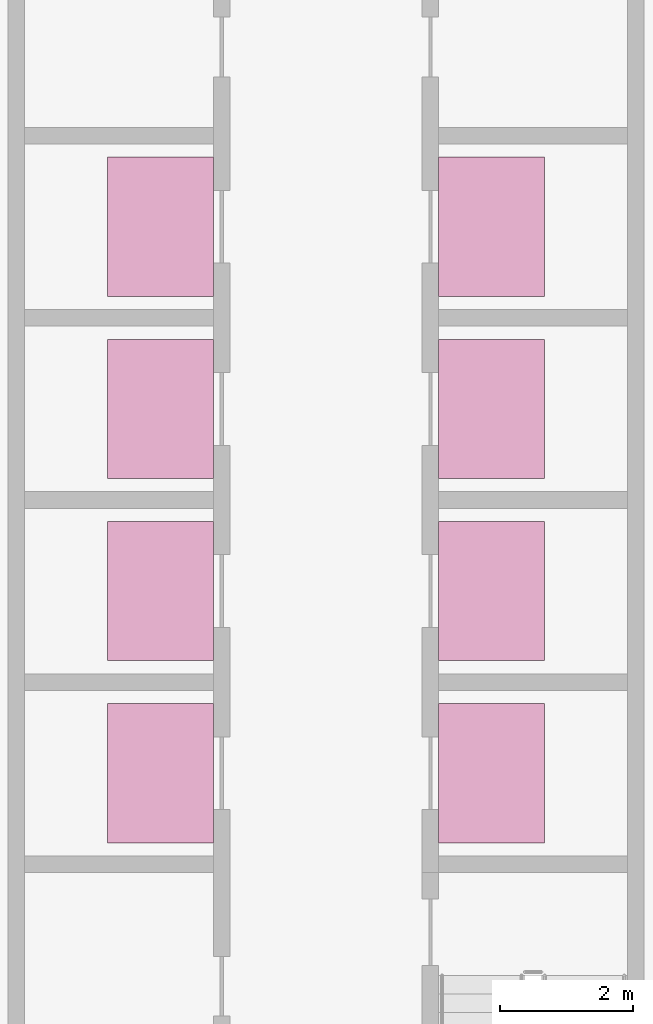
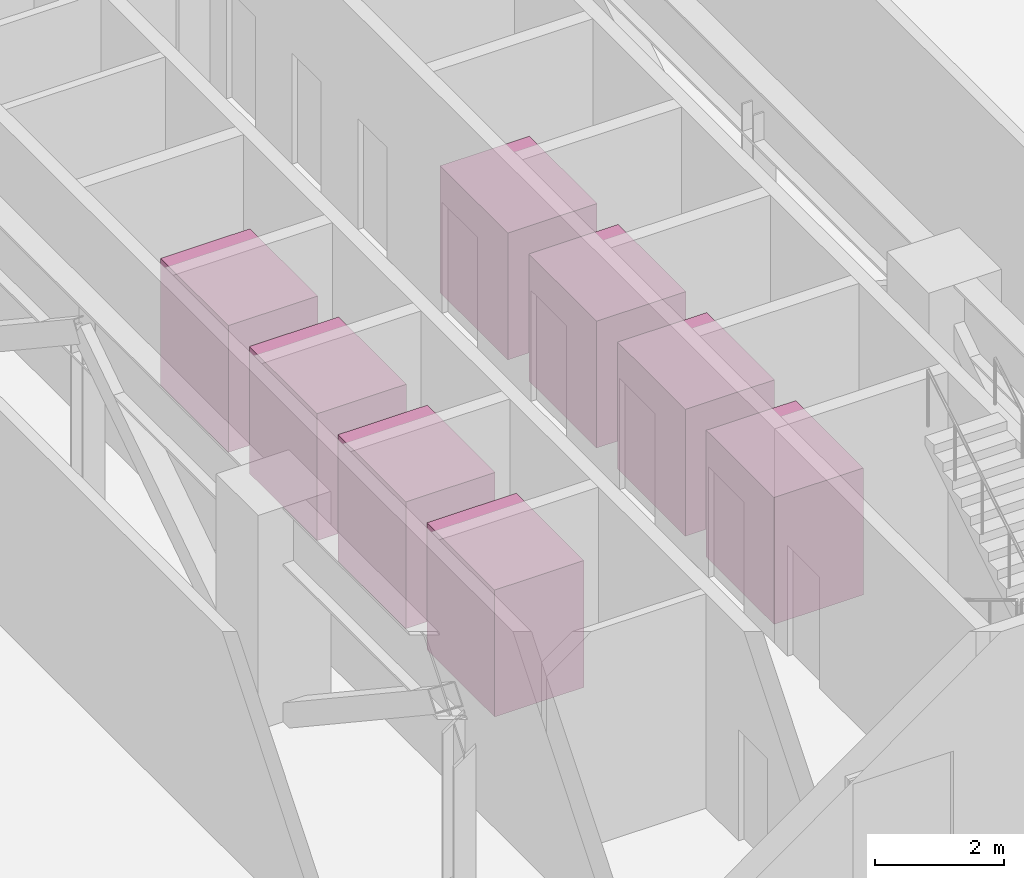
# One storey, part 30 of 30: 8 transport elements.
"""IFC4 building model written with IfcOpenShell, lengths in metres."""

import ifcopenshell
import ifcopenshell.guid

model = None  # the IFC model being written
_history = None  # IfcOwnerHistory: only IFC2X3 demands one
_inside = {}  # id of a spatial element -> (the spatial element, [elements in it])
_under = {}  # id of a project, library or spatial element -> (it, [spatial elements below it])
_declared = {}  # id of a project -> (the project, [libraries it declares])
_typed = {}  # id of a type object -> (the type object, [elements of that type])
_made_of = {}  # id of a material, layer set ... -> (it, [elements and type objects made of it])


def new_model(schema):
    """Start an empty IFC model of exactly this schema.

    Asked for "IFC4X3", IfcOpenShell would pick the latest addendum, in which some entities
    have other attributes; the version numbers below select the first issue.
    IFC2X3 requires an IfcOwnerHistory on every rooted entity: one is made here for all.
    """
    global model, _history
    if schema == "IFC4X3":
        model = ifcopenshell.file(schema_version=(4, 3, 0, 0))
    else:
        model = ifcopenshell.file(schema=schema)
    _inside.clear()
    _under.clear()
    _declared.clear()
    _typed.clear()
    _made_of.clear()
    _history = None
    if model.schema == "IFC2X3":
        org = make("IfcOrganization", Name="unknown")
        user = make(
            "IfcPersonAndOrganization",
            ThePerson=make("IfcPerson", FamilyName="unknown"),
            TheOrganization=org,
        )
        app = make(
            "IfcApplication",
            ApplicationDeveloper=org,
            Version="unknown",
            ApplicationFullName="unknown",
            ApplicationIdentifier="unknown",
        )
        _history = make(
            "IfcOwnerHistory",
            OwningUser=user,
            OwningApplication=app,
            ChangeAction="ADDED",
            CreationDate=0,
        )
    return model


def make(cls, **values):
    """One entity of the class cls with the attributes given. An attribute that is None is left unset."""
    return model.create_entity(
        cls, **{name: value for name, value in values.items() if value is not None}
    )


def rooted(cls, **values):
    """An entity with a GlobalId (a new one), such as an element, a storey or a relation."""
    return make(cls, GlobalId=ifcopenshell.guid.new(), OwnerHistory=_history, **values)


def si_unit(unit_type, name, prefix=None):
    """IfcSIUnit, for example si_unit("LENGTHUNIT", "METRE", prefix="MILLI")."""
    return make("IfcSIUnit", UnitType=unit_type, Prefix=prefix, Name=name)


def assignment(units):
    """IfcUnitAssignment: the units of a project."""
    return None if units is None else make("IfcUnitAssignment", Units=units)


def point(xyz):
    """IfcCartesianPoint."""
    return None if xyz is None else make("IfcCartesianPoint", Coordinates=xyz)


def direction(xyz):
    """IfcDirection."""
    return None if xyz is None else make("IfcDirection", DirectionRatios=xyz)


def frame(location, z_axis=None, x_axis=None):
    """IfcAxis2Placement3D, a coordinate frame: its origin and axes. An axis left out is left unset."""
    return make(
        "IfcAxis2Placement3D",
        Location=point(location),
        Axis=direction(z_axis),
        RefDirection=direction(x_axis),
    )


def frame_2d(location, x_axis=None):
    """IfcAxis2Placement2D, a coordinate frame in the plane: its origin and x axis."""
    return make(
        "IfcAxis2Placement2D", Location=point(location), RefDirection=direction(x_axis)
    )


def origin():
    """The frame at (0, 0, 0) with its axes left unset."""
    return frame((0.0, 0.0, 0.0))


def origin_2d():
    """The frame at (0, 0) in the plane with its x axis left unset."""
    return frame_2d((0.0, 0.0))


def place(relative_to, where):
    """IfcLocalPlacement: puts the frame where relative to a parent placement (None: the world)."""
    return make(
        "IfcLocalPlacement", PlacementRelTo=relative_to, RelativePlacement=where
    )


def context(
    kind, dimensions, precision=None, world=None, true_north=None, identifier=None
):
    """IfcGeometricRepresentationContext, for example the 3D "Model" context."""
    return make(
        "IfcGeometricRepresentationContext",
        ContextIdentifier=identifier,
        ContextType=kind,
        CoordinateSpaceDimension=dimensions,
        Precision=precision,
        WorldCoordinateSystem=world,
        TrueNorth=true_north,
    )


def subcontext(parent, identifier, kind, view, scale=None):
    """IfcGeometricRepresentationSubContext, for example "Body" below "Model"."""
    return make(
        "IfcGeometricRepresentationSubContext",
        ContextIdentifier=identifier,
        ContextType=kind,
        ParentContext=parent,
        TargetScale=scale,
        TargetView=view,
    )


def project(units=None, contexts=None):
    """IfcProject with its units and contexts."""
    return rooted(
        "IfcProject",
        Name="project",
        RepresentationContexts=contexts,
        UnitsInContext=assignment(units),
    )


def spatial(cls, under=None, at=None, **own):
    """A site, building, storey or space (cls), placed at a placement, below another one or the project."""
    s = rooted(cls, ObjectPlacement=at, **own)
    if under is not None:
        _under.setdefault(under.id(), (under, []))[1].append(s)
    return s


def profile(cls, at=None, kind="AREA", **sizes):
    """A parametric profile (cls). Its sizes go by their IFC names, for example OverallWidth=200.0."""
    return make(cls, ProfileType=kind, Position=at, **sizes)


def rectangle(**sizes):
    """IfcRectangleProfileDef."""
    return profile("IfcRectangleProfileDef", **sizes)


def extrude(swept, where, along, depth):
    """IfcExtrudedAreaSolid: the profile swept, set in the frame where, extruded along a direction by depth."""
    return make(
        "IfcExtrudedAreaSolid",
        SweptArea=swept,
        Position=where,
        ExtrudedDirection=direction(along),
        Depth=depth,
    )


def shape(context_of_items, identifier, shape_type, items):
    """IfcShapeRepresentation: the items that make up one representation, for example the "Body"."""
    return make(
        "IfcShapeRepresentation",
        ContextOfItems=context_of_items,
        RepresentationIdentifier=identifier,
        RepresentationType=shape_type,
        Items=items,
    )


def material(Name=None, Category=None):
    """IfcMaterial."""
    return make("IfcMaterial", Name=Name, Category=Category)


def made_of(thing, what):
    """Note that an element or type object is made of a material, layer set ...; save() writes the relation."""
    if what is not None:
        _made_of.setdefault(what.id(), (what, []))[1].append(thing)
    return thing


def type_object(cls, material=None, **own):
    """A type object (cls), such as IfcWallType, which elements share."""
    return made_of(rooted(cls, **own), material)


def element(
    cls,
    number,
    at=None,
    inside=None,
    cuts=None,
    type_object=None,
    material=None,
    context=None,
    identifier="Body",
    shape_type=None,
    held_by="IfcProductDefinitionShape",
    body=None,
    shapes=None,
    **own,
):
    """One element of the class cls, such as IfcWall. Its Tag is "e" and its number.

    at: its placement. inside: the storey or other place that contains it. cuts: it is an
    opening in that element (IfcRelVoidsElement). A single representation is given by context,
    identifier, shape_type and body (its items); several are given by shapes. held_by: the class
    of the entity that holds the representations. save() writes the other relations.
    """
    e = rooted(cls, Tag="e%d" % number, ObjectPlacement=at, **own)
    if body is not None:
        shapes = [shape(context, identifier, shape_type, body)]
    if shapes is not None:
        e.Representation = make(held_by, Representations=shapes)
    if inside is not None:
        _inside.setdefault(inside.id(), (inside, []))[1].append(e)
    if cuts is not None:
        rooted(
            "IfcRelVoidsElement", RelatingBuildingElement=cuts, RelatedOpeningElement=e
        )
    if type_object is not None:
        _typed.setdefault(type_object.id(), (type_object, []))[1].append(e)
    return made_of(e, material)


def aggregate(whole, parts):
    """IfcRelAggregates: a whole, such as a stair, and the parts it consists of."""
    return rooted("IfcRelAggregates", RelatingObject=whole, RelatedObjects=parts)


def save(model, path):
    """Write the relations noted so far, then the file.

    IfcRelAggregates (storeys below a building ...), IfcRelContainedInSpatialStructure (elements
    in a storey), IfcRelDefinesByType, IfcRelAssociatesMaterial and IfcRelDeclares: one each for
    every whole, place, type object, material and project.
    """
    for whole, parts in _under.values():
        aggregate(whole, parts)
    for where, things in _inside.values():
        rooted(
            "IfcRelContainedInSpatialStructure",
            RelatedElements=things,
            RelatingStructure=where,
        )
    for kind, things in _typed.values():
        rooted("IfcRelDefinesByType", RelatedObjects=things, RelatingType=kind)
    for what, things in _made_of.values():
        rooted("IfcRelAssociatesMaterial", RelatedObjects=things, RelatingMaterial=what)
    for by, libraries in _declared.values():
        rooted("IfcRelDeclares", RelatingContext=by, RelatedDefinitions=libraries)
    model.write(path)


model = new_model("IFC4")

# Units and contexts
model_context = context("Model", 3, precision=1e-05, world=origin(), true_north=direction((0.0, 1.0)))
body_context = subcontext(model_context, "Body", "Model", "MODEL_VIEW")
ifc_project = project(units=[si_unit("LENGTHUNIT", "METRE"), si_unit("AREAUNIT", "SQUARE_METRE"), si_unit("VOLUMEUNIT", "CUBIC_METRE"), si_unit("PLANEANGLEUNIT", "RADIAN"), si_unit("MASSUNIT", "GRAM", prefix="KILO")], contexts=[model_context])

# Site, building, storey
site_placement = place(None, origin())
site = spatial("IfcSite", under=ifc_project, at=site_placement, CompositionType="ELEMENT")
building_placement = place(site_placement, origin())
building = spatial("IfcBuilding", under=site, at=building_placement, Name="Mahtab Terrace Research Tower", CompositionType="ELEMENT")
storey_placement = place(building_placement, frame((0.0, 0.0, 154.800048828125)))
storey = spatial("IfcBuildingStorey", under=building, at=storey_placement, Name="L36", CompositionType="ELEMENT", Elevation=154.800048828125)

# Transport elements
ifc_material = material(Name="Stainless steel AISI 304", Category="steel")
transport_element_type = type_object("IfcTransportElementType", Name="Lift car 1600 kg 2100x1600", PredefinedType="ELEVATOR", material=ifc_material)
for number, where, z_axis, x_axis, name in (
    (1, (-2.5, -1.125, 0.0), (0.0, 0.0, 1.0), (1.0, 0.0, 0.0), "Lift HR1"),
    (2, (-2.5, 1.625, 0.0), (0.0, 0.0, 1.0), (1.0, 0.0, 0.0), "Lift HR2"),
    (3, (-2.5, 4.375, 0.0), (0.0, 0.0, 1.0), (1.0, 0.0, 0.0), "Lift HR3"),
    (4, (-2.5, 7.125, 0.0), (0.0, 0.0, 1.0), (1.0, 0.0, 0.0), "Lift HR4"),
    (5, (2.5, -1.125, 0.0), (0.0, 0.0, 1.0), (1.0, 0.0, 0.0), "Lift HR5"),
    (6, (2.5, 1.625, 0.0), (0.0, 0.0, 1.0), (1.0, 0.0, 0.0), "Lift HR6"),
    (7, (2.5, 4.375, 0.0), (0.0, 0.0, 1.0), (1.0, 0.0, 0.0), "Lift HR7"),
    (8, (2.5, 7.125, 0.0), (0.0, 0.0, 1.0), (1.0, 0.0, 0.0), "Lift HR8"),
):
    element("IfcTransportElement", number, at=place(storey_placement, frame(where, z_axis=z_axis, x_axis=x_axis)), inside=storey, type_object=transport_element_type, Name=name, PredefinedType="ELEVATOR", context=body_context, shape_type="SweptSolid", body=[
        extrude(rectangle(XDim=1.60009765625, YDim=2.10009765625, at=origin_2d()), origin(), (0.0, 0.0, 1.0), 2.39990234375),
    ])

save(model, "model.ifc")
